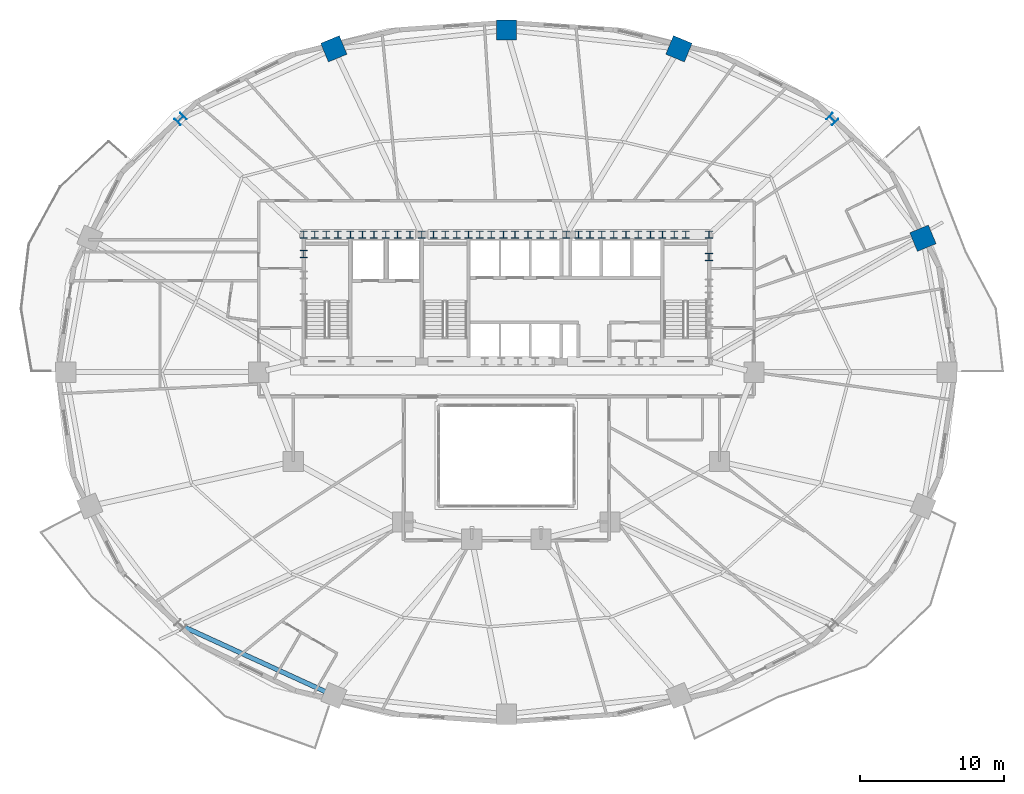
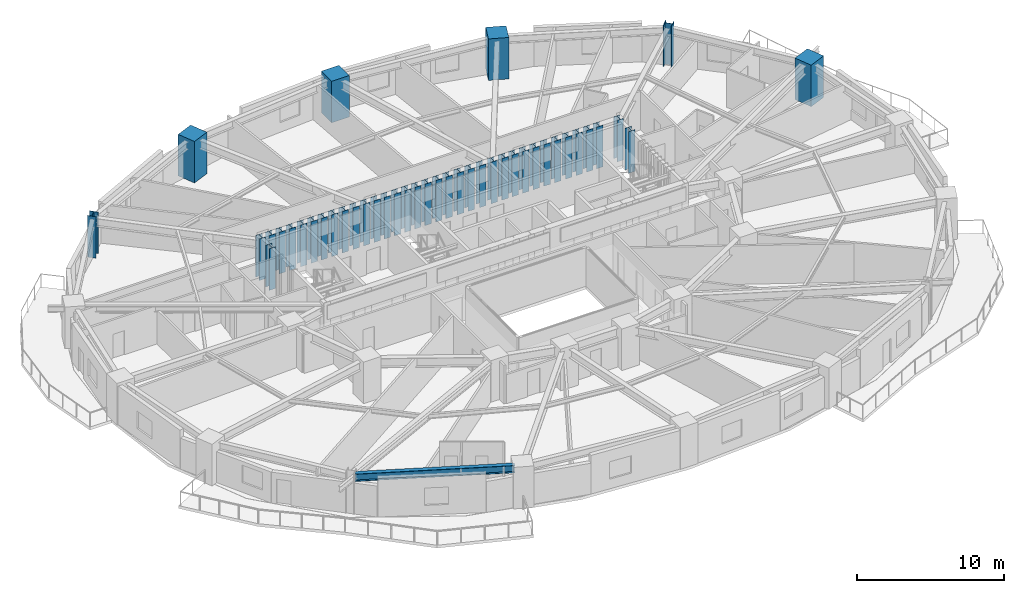
# One storey, part 2 of 17: 42 columns, 1 beam.
"""IFC4 building model written with IfcOpenShell, lengths in metres."""

from ifc_helpers import new_model, si_unit, direction, frame, origin, origin_2d, place, context, subcontext, project, spatial, rectangle, i_section, extrude, material, material_profile, profile_set, type_object, element, save


model = new_model("IFC4")

# Units and contexts
model_context = context("Model", 3, precision=1e-05, world=origin(), true_north=direction((0.0, 1.0)))
body_context = subcontext(model_context, "Body", "Model", "MODEL_VIEW")
ifc_project = project(units=[si_unit("LENGTHUNIT", "METRE"), si_unit("AREAUNIT", "SQUARE_METRE"), si_unit("VOLUMEUNIT", "CUBIC_METRE"), si_unit("PLANEANGLEUNIT", "RADIAN"), si_unit("MASSUNIT", "GRAM", prefix="KILO")], contexts=[model_context])

# Site, building, storey
site_placement = place(None, origin())
site = spatial("IfcSite", under=ifc_project, at=site_placement, CompositionType="ELEMENT")
building_placement = place(site_placement, origin())
building = spatial("IfcBuilding", under=site, at=building_placement, Name="Haldorwick Loom Tower", CompositionType="ELEMENT")
storey_placement = place(building_placement, frame((0.0, 0.0, 61.949951171875)))
storey = spatial("IfcBuildingStorey", under=building, at=storey_placement, Name="L16", CompositionType="ELEMENT", Elevation=61.949951171875)

# Columns
ifc_material_1 = material(Name="Concrete C60 (60 MPa)", Category="concrete")
ifc_material_profile_1 = material_profile(ifc_material_1, rectangle(XDim=1.39990234375, YDim=1.39990234375, at=origin_2d()), Name="RC1400X1400", Category="concrete")
ifc_profile_set_1 = profile_set([ifc_material_profile_1], Name="Concrete C60 (60 MPa)")
column_type_1 = type_object("IfcColumnType", Name="STR-COL-RC1400", PredefinedType="PILASTER", material=ifc_profile_set_1)
for number, where, z_axis, x_axis, name in (
    (1, (64.91748046875, 35.29931640625, 0.0), (0.0, 0.0, 1.0), (0.923879532511, 0.382683432365, 0.0), "L16 Perimeter Pier Column P02"),
    (2, (47.97802734375, 48.4501953125, 0.0), (0.0, 0.0, 1.0), (0.382683432365, 0.923879532511, 0.0), "L16 Perimeter Pier Column P04"),
    (3, (36.0, 49.75, 0.0), (0.0, 0.0, 1.0), (0.0, 1.0, 0.0), "L16 Perimeter Pier Column P05"),
    (4, (24.02197265625, 48.4501953125, 0.0), (0.0, 0.0, 1.0), (-0.382683432365, 0.923879532511, 0.0), "L16 Perimeter Pier Column P06"),
):
    element("IfcColumn", number, at=place(storey_placement, frame(where, z_axis=z_axis, x_axis=x_axis)), inside=storey, type_object=column_type_1, Name=name, PredefinedType="PILASTER", context=body_context, shape_type="SweptSolid", body=[
        extrude(rectangle(XDim=1.39990234375, YDim=1.39990234375, at=origin_2d()), origin(), (0.0, 0.0, 1.0), 3.449951171875),
    ])
ifc_material_2 = material(Name="Steel CSA G40.21 350WT", Category="steel")
ifc_material_profile_2 = material_profile(ifc_material_2, i_section(OverallWidth=0.5, OverallDepth=0.5, WebThickness=0.02197265625, FlangeThickness=0.031982421875, at=origin_2d()), Name="WWF500X500", Category="steel")
ifc_profile_set_2 = profile_set([ifc_material_profile_2], Name="Steel CSA G40.21 350WT")
column_type_2 = type_object("IfcColumnType", Name="STR-COL-WWF500", PredefinedType="COLUMN", material=ifc_profile_set_2)
for number, where, z_axis, x_axis, name in (
    (5, (21.929931640625, 35.550048828125, 0.0), (0.0, 0.0, 1.0), (1.0, 0.0, 0.0), "L16 Core Pilaster CB-01"),
    (6, (23.5, 35.550048828125, 0.0), (0.0, 0.0, 1.0), (1.0, 0.0, 0.0), "L16 Core Pilaster CB-02"),
    (7, (25.169921875, 35.550048828125, 0.0), (0.0, 0.0, 1.0), (1.0, 0.0, 0.0), "L16 Core Pilaster CB-03"),
    (8, (26.800048828125, 35.550048828125, 0.0), (0.0, 0.0, 1.0), (1.0, 0.0, 0.0), "L16 Core Pilaster CB-04"),
    (9, (28.449951171875, 35.550048828125, 0.0), (0.0, 0.0, 1.0), (1.0, 0.0, 0.0), "L16 Core Pilaster CB-05"),
    (10, (30.1298828125, 35.550048828125, 0.0), (0.0, 0.0, 1.0), (1.0, 0.0, 0.0), "L16 Core Pilaster CB-06"),
    (11, (31.75, 35.550048828125, 0.0), (0.0, 0.0, 1.0), (1.0, 0.0, 0.0), "L16 Core Pilaster CB-07"),
    (12, (33.3701171875, 35.550048828125, 0.0), (0.0, 0.0, 1.0), (1.0, 0.0, 0.0), "L16 Core Pilaster CB-08"),
    (13, (34.949951171875, 35.550048828125, 0.0), (0.0, 0.0, 1.0), (1.0, 0.0, 0.0), "L16 Core Pilaster CB-09"),
    (14, (36.60009765625, 35.550048828125, 0.0), (0.0, 0.0, 1.0), (1.0, 0.0, 0.0), "L16 Core Pilaster CB-10"),
    (15, (38.35009765625, 35.550048828125, 0.0), (0.0, 0.0, 1.0), (1.0, 0.0, 0.0), "L16 Core Pilaster CB-11"),
    (16, (40.14990234375, 35.550048828125, 0.0), (0.0, 0.0, 1.0), (1.0, 0.0, 0.0), "L16 Core Pilaster CB-12"),
    (17, (41.800048828125, 35.550048828125, 0.0), (0.0, 0.0, 1.0), (1.0, 0.0, 0.0), "L16 Core Pilaster CB-13"),
    (18, (43.449951171875, 35.550048828125, 0.0), (0.0, 0.0, 1.0), (1.0, 0.0, 0.0), "L16 Core Pilaster CB-14"),
    (19, (45.14990234375, 35.550048828125, 0.0), (0.0, 0.0, 1.0), (1.0, 0.0, 0.0), "L16 Core Pilaster CB-15"),
    (20, (46.830078125, 35.550048828125, 0.0), (0.0, 0.0, 1.0), (1.0, 0.0, 0.0), "L16 Core Pilaster CB-16"),
    (21, (48.449951171875, 35.550048828125, 0.0), (0.0, 0.0, 1.0), (1.0, 0.0, 0.0), "L16 Core Pilaster CB-17"),
    (22, (50.070068359375, 35.550048828125, 0.0), (0.0, 0.0, 1.0), (1.0, 0.0, 0.0), "L16 Core Pilaster CB-18"),
    (23, (21.929931640625, 34.199951171875, 0.0), (0.0, 0.0, 1.0), (1.0, 0.0, 0.0), "L16 Core Pilaster CB-28"),
    (24, (50.070068359375, 34.0, 0.0), (0.0, 0.0, 1.0), (1.0, 0.0, 0.0), "L16 Core Pilaster CB-32"),
    (25, (22.699951171875, 35.550048828125, 0.0), (0.0, 0.0, 1.0), (1.0, 0.0, 0.0), "L16 Core Pilaster CB-33"),
    (26, (27.6201171875, 35.550048828125, 0.0), (0.0, 0.0, 1.0), (1.0, 0.0, 0.0), "L16 Core Pilaster CB-34"),
    (27, (32.550048828125, 35.550048828125, 0.0), (0.0, 0.0, 1.0), (1.0, 0.0, 0.0), "L16 Core Pilaster CB-35"),
    (28, (37.5, 35.550048828125, 0.0), (0.0, 0.0, 1.0), (1.0, 0.0, 0.0), "L16 Core Pilaster CB-36"),
    (29, (42.6201171875, 35.550048828125, 0.0), (0.0, 0.0, 1.0), (1.0, 0.0, 0.0), "L16 Core Pilaster CB-37"),
    (30, (47.64990234375, 35.550048828125, 0.0), (0.0, 0.0, 1.0), (1.0, 0.0, 0.0), "L16 Core Pilaster CB-38"),
    (31, (24.300048828125, 35.550048828125, 0.0), (0.0, 0.0, 1.0), (1.0, 0.0, 0.0), "L16 Core Pilaster CB-39"),
    (32, (26.0, 35.550048828125, 0.0), (0.0, 0.0, 1.0), (1.0, 0.0, 0.0), "L16 Core Pilaster CB-40"),
    (33, (29.300048828125, 35.550048828125, 0.0), (0.0, 0.0, 1.0), (1.0, 0.0, 0.0), "L16 Core Pilaster CB-41"),
    (34, (30.949951171875, 35.550048828125, 0.0), (0.0, 0.0, 1.0), (1.0, 0.0, 0.0), "L16 Core Pilaster CB-42"),
    (35, (34.14990234375, 35.550048828125, 0.0), (0.0, 0.0, 1.0), (1.0, 0.0, 0.0), "L16 Core Pilaster CB-43"),
    (36, (35.800048828125, 35.550048828125, 0.0), (0.0, 0.0, 1.0), (1.0, 0.0, 0.0), "L16 Core Pilaster CB-44"),
    (37, (39.25, 35.550048828125, 0.0), (0.0, 0.0, 1.0), (1.0, 0.0, 0.0), "L16 Core Pilaster CB-45"),
    (38, (41.0, 35.550048828125, 0.0), (0.0, 0.0, 1.0), (1.0, 0.0, 0.0), "L16 Core Pilaster CB-46"),
    (39, (44.300048828125, 35.550048828125, 0.0), (0.0, 0.0, 1.0), (1.0, 0.0, 0.0), "L16 Core Pilaster CB-47"),
    (40, (46.0, 35.550048828125, 0.0), (0.0, 0.0, 1.0), (1.0, 0.0, 0.0), "L16 Core Pilaster CB-48"),
):
    element("IfcColumn", number, at=place(storey_placement, frame(where, z_axis=z_axis, x_axis=x_axis)), inside=storey, type_object=column_type_2, Name=name, PredefinedType="COLUMN", context=body_context, shape_type="SweptSolid", body=[
        extrude(i_section(OverallWidth=0.5, OverallDepth=0.5, WebThickness=0.02197265625, FlangeThickness=0.031982421875, at=origin_2d()), origin(), (0.0, 0.0, 1.0), 3.449951171875),
    ])
ifc_material_profile_3 = material_profile(ifc_material_2, i_section(OverallWidth=0.60009765625, OverallDepth=0.60009765625, WebThickness=0.02490234375, FlangeThickness=0.035888671875, at=origin_2d()), Name="WWF600X600", Category="steel")
ifc_profile_set_3 = profile_set([ifc_material_profile_3], Name="Steel CSA G40.21 350WT")
column_type_3 = type_object("IfcColumnType", Name="STR-COL-WWF600", PredefinedType="COLUMN", material=ifc_profile_set_3)
for number, where, z_axis, x_axis, name in (
    (41, (58.630126953125, 43.571533203125, 0.0), (0.0, 0.0, 1.0), (0.707106781187, 0.707106781187, 0.0), "L16 Perimeter Pier Column P03"),
    (42, (13.369873046875, 43.571533203125, 0.0), (0.0, 0.0, 1.0), (-0.707106781187, 0.707106781187, 0.0), "L16 Perimeter Pier Column P07"),
):
    element("IfcColumn", number, at=place(storey_placement, frame(where, z_axis=z_axis, x_axis=x_axis)), inside=storey, type_object=column_type_3, Name=name, PredefinedType="COLUMN", context=body_context, shape_type="SweptSolid", body=[
        extrude(i_section(OverallWidth=0.60009765625, OverallDepth=0.60009765625, WebThickness=0.02490234375, FlangeThickness=0.035888671875, at=origin_2d()), origin(), (0.0, 0.0, 1.0), 3.449951171875),
    ])

# Beam
ifc_material_3 = material(Name="Steel CSA G40.21 350W", Category="steel")
ifc_material_profile_4 = material_profile(ifc_material_3, i_section(OverallWidth=0.324951171875, OverallDepth=0.615966796875, WebThickness=0.013916015625, FlangeThickness=0.021484375, at=origin_2d()), Name="W610X174", Category="steel")
ifc_profile_set_4 = profile_set([ifc_material_profile_4], Name="Steel CSA G40.21 350W")
beam_type = type_object("IfcBeamType", Name="STR-BM-SP610", PredefinedType="SPANDREL", material=ifc_profile_set_4)
beam_placement = place(storey_placement, frame((13.619873046875, 8.31396484375, 2.902099609375), z_axis=(0.909173805321, -0.416416848504, 0.0), x_axis=(0.416416848504, 0.909173805321, 0.0)))
element("IfcBeam", 43, at=beam_placement, inside=storey, type_object=beam_type, Name="L16 Perimeter Spandrel 11", PredefinedType="SPANDREL", context=body_context, shape_type="SweptSolid", body=[
    extrude(i_section(OverallWidth=0.324951171875, OverallDepth=0.615966796875, WebThickness=0.013916015625, FlangeThickness=0.021484375, at=origin_2d()), origin(), (0.0, 0.0, 1.0), 10.92138671875),
])

save(model, "model.ifc")
